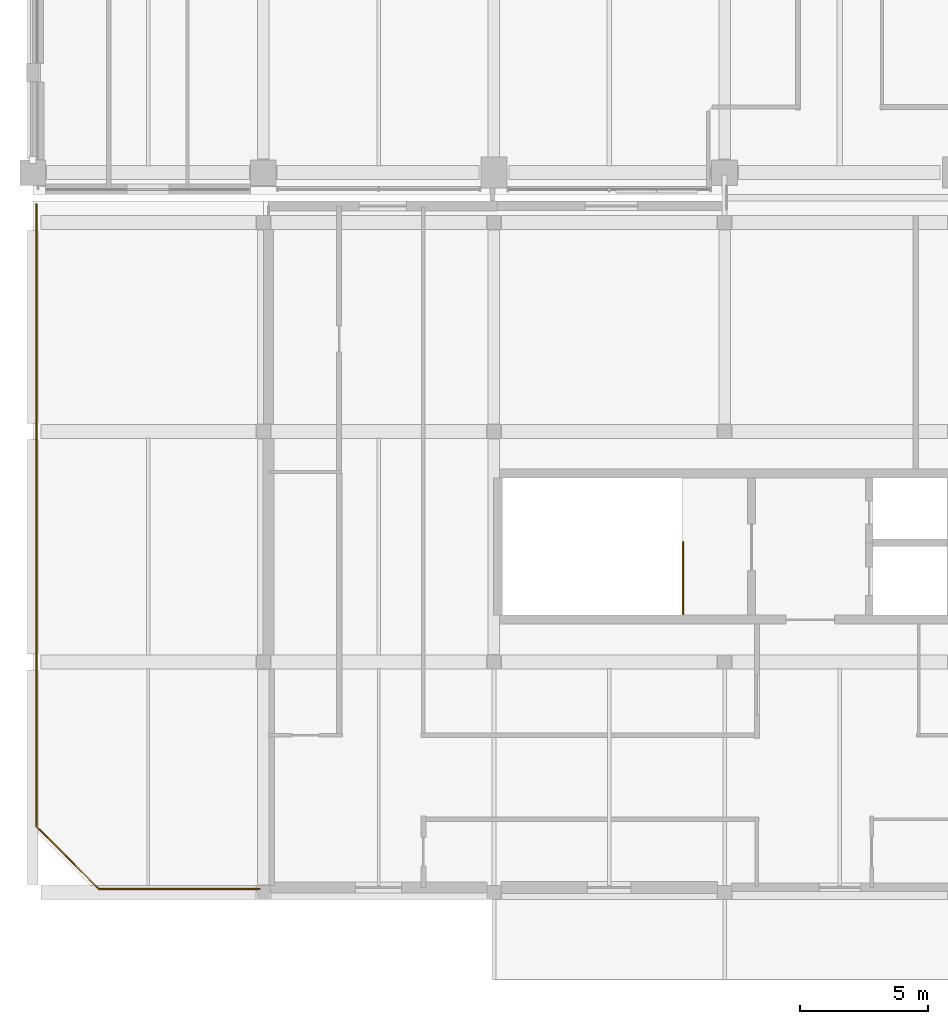
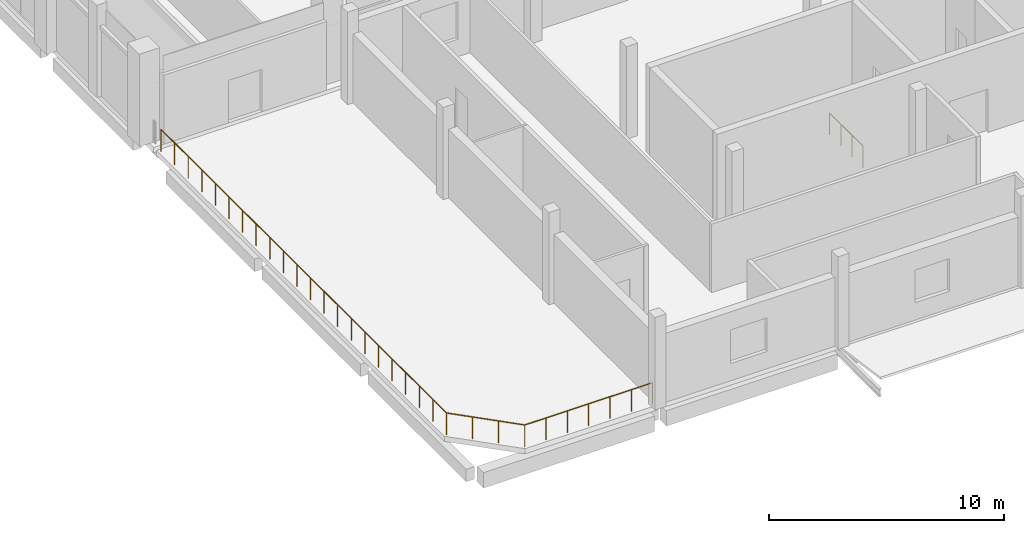
# One storey, part 89 of 111: 4 railings.
"""IFC4 building model written with IfcOpenShell, lengths in metres."""

from ifc_helpers import new_model, si_unit, direction, frame, origin, origin_2d, place, context, subcontext, project, spatial, circle, extrude, material, type_object, element, save


model = new_model("IFC4")

# Units and contexts
model_context = context("Model", 3, precision=1e-05, world=origin(), true_north=direction((0.0, 1.0)))
body_context = subcontext(model_context, "Body", "Model", "MODEL_VIEW")
ifc_project = project(units=[si_unit("LENGTHUNIT", "METRE"), si_unit("AREAUNIT", "SQUARE_METRE"), si_unit("VOLUMEUNIT", "CUBIC_METRE"), si_unit("PLANEANGLEUNIT", "RADIAN"), si_unit("MASSUNIT", "GRAM", prefix="KILO"), si_unit("THERMODYNAMICTEMPERATUREUNIT", "KELVIN"), si_unit("POWERUNIT", "WATT")], contexts=[model_context])

# Site, building, storey
site_placement = place(None, origin())
site = spatial("IfcSite", under=ifc_project, at=site_placement, CompositionType="ELEMENT")
building_placement = place(site_placement, origin())
building = spatial("IfcBuilding", under=site, at=building_placement, Name="Sindhuravela Promenade Stadium", CompositionType="ELEMENT")
storey_placement = place(building_placement, frame((0.0, 0.0, 9.60009765625)))
storey = spatial("IfcBuildingStorey", under=building, at=storey_placement, Name="L02", CompositionType="ELEMENT", Elevation=9.60009765625)

# Railings
ifc_material = material(Name="Architectural wrought steel E350", Category="steel")
railing_type_1 = type_object("IfcRailingType", Name="RL-BAL-1150", PredefinedType="BALUSTRADE", material=ifc_material)
railing_1_placement = place(storey_placement, frame((2.577880859375, 9.139892578125, 0.0)))
element("IfcRailing", 1, at=railing_1_placement, inside=storey, type_object=railing_type_1, Name="Terrace wrought balustrade BL01-1", PredefinedType="BALUSTRADE", context=body_context, shape_type="SweptSolid", body=[
    extrude(circle(Radius=0.02392578125, at=origin_2d()), frame((0.0, 0.0, 1.1259765625), z_axis=(-0.7071067811865476, 0.7071067811865476, 0.0), x_axis=(-0.7071067811865476, -0.7071067811865476, 0.0)), (0.0, 0.0, 1.0), 3.44775390625),
    extrude(circle(Radius=0.02099609375, at=origin_2d()), origin(), (0.0, 0.0, 1.0), 1.101806640625),
    extrude(circle(Radius=0.02099609375, at=origin_2d()), frame((-0.812744140625, 0.812744140625, 0.0)), (0.0, 0.0, 1.0), 1.101806640625),
    extrude(circle(Radius=0.02099609375, at=origin_2d()), frame((-1.625244140625, 1.625244140625, 0.0)), (0.0, 0.0, 1.0), 1.101806640625),
    extrude(circle(Radius=0.02099609375, at=origin_2d()), frame((-2.43798828125, 2.43798828125, 0.0)), (0.0, 0.0, 1.0), 1.101806640625),
])
railing_2_placement = place(storey_placement, frame((0.139892578125, 11.577880859375, 0.0)))
element("IfcRailing", 2, at=railing_2_placement, inside=storey, type_object=railing_type_1, Name="Terrace wrought balustrade BL01-2", PredefinedType="BALUSTRADE", context=body_context, shape_type="SweptSolid", body=[
    extrude(circle(Radius=0.02392578125, at=origin_2d()), frame((0.0, 0.0, 1.1259765625), z_axis=(0.0, 1.0, 0.0), x_axis=(-1.0, 0.0, 0.0)), (0.0, 0.0, 1.0), 24.2822265625),
    extrude(circle(Radius=0.02099609375, at=origin_2d()), origin(), (0.0, 0.0, 1.0), 1.101806640625),
    extrude(circle(Radius=0.02099609375, at=origin_2d()), frame((0.0, 1.15625, 0.0)), (0.0, 0.0, 1.0), 1.101806640625),
    extrude(circle(Radius=0.02099609375, at=origin_2d()), frame((0.0, 2.3125, 0.0)), (0.0, 0.0, 1.0), 1.101806640625),
    extrude(circle(Radius=0.02099609375, at=origin_2d()), frame((0.0, 3.468994140625, 0.0)), (0.0, 0.0, 1.0), 1.101806640625),
    extrude(circle(Radius=0.02099609375, at=origin_2d()), frame((0.0, 4.625244140625, 0.0)), (0.0, 0.0, 1.0), 1.101806640625),
    extrude(circle(Radius=0.02099609375, at=origin_2d()), frame((0.0, 5.781494140625, 0.0)), (0.0, 0.0, 1.0), 1.101806640625),
    extrude(circle(Radius=0.02099609375, at=origin_2d()), frame((0.0, 6.937744140625, 0.0)), (0.0, 0.0, 1.0), 1.101806640625),
    extrude(circle(Radius=0.02099609375, at=origin_2d()), frame((0.0, 8.093994140625, 0.0)), (0.0, 0.0, 1.0), 1.101806640625),
    extrude(circle(Radius=0.02099609375, at=origin_2d()), frame((0.0, 9.25048828125, 0.0)), (0.0, 0.0, 1.0), 1.101806640625),
    extrude(circle(Radius=0.02099609375, at=origin_2d()), frame((0.0, 10.40673828125, 0.0)), (0.0, 0.0, 1.0), 1.101806640625),
    extrude(circle(Radius=0.02099609375, at=origin_2d()), frame((0.0, 11.56298828125, 0.0)), (0.0, 0.0, 1.0), 1.101806640625),
    extrude(circle(Radius=0.02099609375, at=origin_2d()), frame((0.0, 12.71923828125, 0.0)), (0.0, 0.0, 1.0), 1.101806640625),
    extrude(circle(Radius=0.02099609375, at=origin_2d()), frame((0.0, 13.87548828125, 0.0)), (0.0, 0.0, 1.0), 1.101806640625),
    extrude(circle(Radius=0.02099609375, at=origin_2d()), frame((0.0, 15.03173828125, 0.0)), (0.0, 0.0, 1.0), 1.101806640625),
    extrude(circle(Radius=0.02099609375, at=origin_2d()), frame((0.0, 16.188232421875, 0.0)), (0.0, 0.0, 1.0), 1.101806640625),
    extrude(circle(Radius=0.02099609375, at=origin_2d()), frame((0.0, 17.344482421875, 0.0)), (0.0, 0.0, 1.0), 1.101806640625),
    extrude(circle(Radius=0.02099609375, at=origin_2d()), frame((0.0, 18.500732421875, 0.0)), (0.0, 0.0, 1.0), 1.101806640625),
    extrude(circle(Radius=0.02099609375, at=origin_2d()), frame((0.0, 19.656982421875, 0.0)), (0.0, 0.0, 1.0), 1.101806640625),
    extrude(circle(Radius=0.02099609375, at=origin_2d()), frame((0.0, 20.813232421875, 0.0)), (0.0, 0.0, 1.0), 1.101806640625),
    extrude(circle(Radius=0.02099609375, at=origin_2d()), frame((0.0, 21.9697265625, 0.0)), (0.0, 0.0, 1.0), 1.101806640625),
    extrude(circle(Radius=0.02099609375, at=origin_2d()), frame((0.0, 23.1259765625, 0.0)), (0.0, 0.0, 1.0), 1.101806640625),
    extrude(circle(Radius=0.02099609375, at=origin_2d()), frame((0.0, 24.2822265625, 0.0)), (0.0, 0.0, 1.0), 1.101806640625),
])
railing_3_placement = place(storey_placement, frame((8.860107421875, 9.139892578125, 0.0)))
element("IfcRailing", 3, at=railing_3_placement, inside=storey, type_object=railing_type_1, Name="Terrace wrought balustrade BL01-3", PredefinedType="BALUSTRADE", context=body_context, shape_type="SweptSolid", body=[
    extrude(circle(Radius=0.02392578125, at=origin_2d()), frame((0.0, 0.0, 1.1259765625), z_axis=(-1.0, 0.0, 0.0), x_axis=(0.0, -1.0, 0.0)), (0.0, 0.0, 1.0), 6.2822265625),
    extrude(circle(Radius=0.02099609375, at=origin_2d()), origin(), (0.0, 0.0, 1.0), 1.101806640625),
    extrude(circle(Radius=0.02099609375, at=origin_2d()), frame((-1.047119140625, 0.0, 0.0)), (0.0, 0.0, 1.0), 1.101806640625),
    extrude(circle(Radius=0.02099609375, at=origin_2d()), frame((-2.093994140625, 0.0, 0.0)), (0.0, 0.0, 1.0), 1.101806640625),
    extrude(circle(Radius=0.02099609375, at=origin_2d()), frame((-3.14111328125, 0.0, 0.0)), (0.0, 0.0, 1.0), 1.101806640625),
    extrude(circle(Radius=0.02099609375, at=origin_2d()), frame((-4.188232421875, 0.0, 0.0)), (0.0, 0.0, 1.0), 1.101806640625),
    extrude(circle(Radius=0.02099609375, at=origin_2d()), frame((-5.235107421875, 0.0, 0.0)), (0.0, 0.0, 1.0), 1.101806640625),
    extrude(circle(Radius=0.02099609375, at=origin_2d()), frame((-6.2822265625, 0.0, 0.0)), (0.0, 0.0, 1.0), 1.101806640625),
])
railing_type_2 = type_object("IfcRailingType", Name="RL-GRD-1150", PredefinedType="GUARDRAIL", material=ifc_material)
railing_4_placement = place(storey_placement, frame((25.3798828125, 19.860107421875, 0.0)))
element("IfcRailing", 4, at=railing_4_placement, inside=storey, type_object=railing_type_2, Name="Stair GS01 top landing well guard (L02)", PredefinedType="GUARDRAIL", context=body_context, shape_type="SweptSolid", body=[
    extrude(circle(Radius=0.02392578125, at=origin_2d()), frame((0.0, 0.0, 1.1259765625), z_axis=(0.0, 1.0, 0.0), x_axis=(-1.0, 0.0, 0.0)), (0.0, 0.0, 1.0), 2.829833984375),
    extrude(circle(Radius=0.02099609375, at=origin_2d()), origin(), (0.0, 0.0, 1.0), 1.101806640625),
    extrude(circle(Radius=0.02099609375, at=origin_2d()), frame((0.0, 0.943359375, 0.0)), (0.0, 0.0, 1.0), 1.101806640625),
    extrude(circle(Radius=0.02099609375, at=origin_2d()), frame((0.0, 1.886474609375, 0.0)), (0.0, 0.0, 1.0), 1.101806640625),
    extrude(circle(Radius=0.02099609375, at=origin_2d()), frame((0.0, 2.829833984375, 0.0)), (0.0, 0.0, 1.0), 1.101806640625),
])

save(model, "model.ifc")
